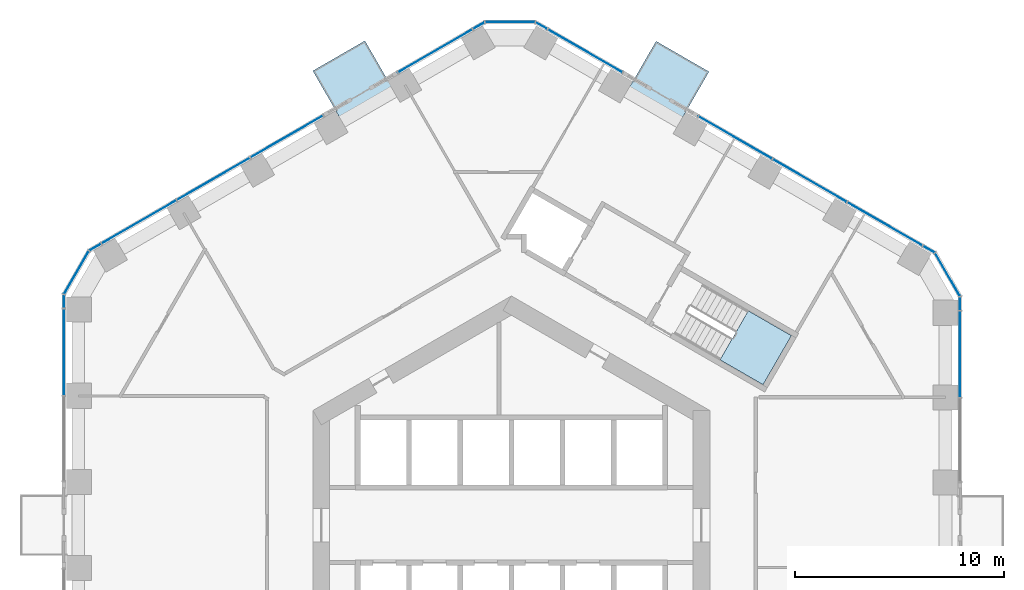
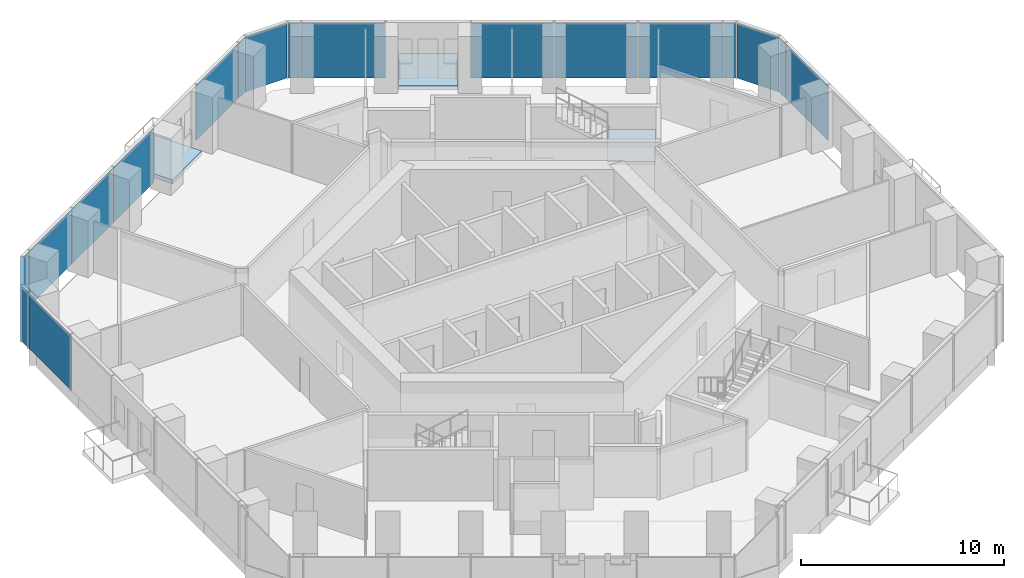
# One storey, part 12 of 20: 19 plates, 3 slabs, 10 elements without a shape of their own.
"""IFC4 building model written with IfcOpenShell, lengths in metres."""

from ifc_helpers import new_model, si_unit, direction, frame, origin, origin_2d, place, context, subcontext, project, spatial, polyline, rectangle, outline, extrude, material, layer, layer_set, type_object, element, aggregate, save


model = new_model("IFC4")

# Units and contexts
model_context = context("Model", 3, precision=1e-05, world=origin(), true_north=direction((0.0, 1.0)))
body_context = subcontext(model_context, "Body", "Model", "MODEL_VIEW")
ifc_project = project(units=[si_unit("LENGTHUNIT", "METRE"), si_unit("AREAUNIT", "SQUARE_METRE"), si_unit("VOLUMEUNIT", "CUBIC_METRE"), si_unit("PLANEANGLEUNIT", "RADIAN"), si_unit("MASSUNIT", "GRAM", prefix="KILO")], contexts=[model_context])

# Site, building, storey
site_placement = place(None, origin())
site = spatial("IfcSite", under=ifc_project, at=site_placement, CompositionType="ELEMENT")
building_placement = place(site_placement, origin())
building = spatial("IfcBuilding", under=site, at=building_placement, Name="Ayvan Gate Tower", CompositionType="ELEMENT")
storey_placement = place(building_placement, frame((0.0, 0.0, 28.89990234375)))
storey = spatial("IfcBuildingStorey", under=building, at=storey_placement, Name="L06", CompositionType="ELEMENT", Elevation=28.89990234375)

# Slabs
ifc_material_1 = material(Name="Concrete C40/50", Category="concrete")
ifc_layer_1 = layer(ifc_material_1, 0.25)
ifc_layer_set_1 = layer_set([ifc_layer_1], Name="Concrete C40/50")
slab_type_1 = type_object("IfcSlabType", Name="Balcony slab 250", PredefinedType="FLOOR", material=ifc_layer_set_1)
slab_1_placement = place(storey_placement, frame((0.0, 0.0, -0.25)))
element("IfcSlab", 1, at=slab_1_placement, inside=storey, type_object=slab_type_1, Name="Balcony slab BAL-L06-2", PredefinedType="FLOOR", context=body_context, shape_type="SweptSolid", body=[
    extrude(outline(polyline([(-5.612060546875, 20.759765625), (-8.106201171875, 19.31982421875), (-9.506103515625, 21.744873046875), (-7.01220703125, 23.184814453125), (-5.612060546875, 20.759765625)])), origin(), (0.0, 0.0, 1.0), 0.25),
])
slab_2_placement = place(storey_placement, frame((0.0, 0.0, -0.25)))
element("IfcSlab", 2, at=slab_2_placement, inside=storey, type_object=slab_type_1, Name="Balcony slab BAL-L06-1", PredefinedType="FLOOR", context=body_context, shape_type="SweptSolid", body=[
    extrude(outline(polyline([(8.05859375, 19.27880859375), (5.529052734375, 20.7392578125), (6.92919921875, 23.1640625), (9.45849609375, 21.70361328125), (8.05859375, 19.27880859375)])), origin(), (0.0, 0.0, 1.0), 0.25),
])

# Stair, slab
stair_type = type_object("IfcStairType", Name="ST-EXIT", PredefinedType="HALF_TURN_STAIR", material=ifc_material_1)
stair_placement = place(storey_placement, origin())
stair = element("IfcStair", 3, at=stair_placement, inside=storey, type_object=stair_type, Name="L06 Exit Stair S1", PredefinedType="HALF_TURN_STAIR")
ifc_layer_2 = layer(ifc_material_1, 0.199951171875)
ifc_layer_set_2 = layer_set([ifc_layer_2], Name="Concrete C40/50")
slab_type_2 = type_object("IfcSlabType", Name="SL-LANDING-200", PredefinedType="LANDING", material=ifc_layer_set_2)
slab_3_placement = place(storey_placement, frame((0.0, 0.0, 1.5)))
slab_3 = element("IfcSlab", 4, at=slab_3_placement, type_object=slab_type_2, Name="STS1 landing 1", PredefinedType="LANDING", context=body_context, shape_type="SweptSolid", body=[
    extrude(outline(polyline([(9.988525390625, 7.91064453125), (12.049560546875, 6.720458984375), (13.404541015625, 9.0673828125), (11.343505859375, 10.257568359375), (9.988525390625, 7.91064453125)])), origin(), (0.0, 0.0, 1.0), 0.2001953125),
])
aggregate(stair, [slab_3])

# Curtain wall, plate
ifc_material_2 = material(Name="Bronze anodised aluminium", Category="aluminium")
ifc_layer_3 = layer(ifc_material_2, 0.199951171875)
ifc_layer_set_3 = layer_set([ifc_layer_3], Name="Bronze anodised aluminium")
curtain_wall_type_1 = type_object("IfcCurtainWallType", Name="Stick curtain wall CW-1", PredefinedType="NOTDEFINED", material=ifc_layer_set_3)
curtain_wall_1_placement = place(storey_placement, origin())
curtain_wall_1 = element("IfcCurtainWall", 5, at=curtain_wall_1_placement, inside=storey, type_object=curtain_wall_type_1, Name="Stick curtain wall CW-1 L06", PredefinedType="NOTDEFINED")
ifc_material_3 = material(Name="Clear low-iron laminated glass", Category="glass")
ifc_layer_4 = layer(ifc_material_3, 0.028076171875)
ifc_layer_set_4 = layer_set([ifc_layer_4], Name="Clear low-iron laminated glass")
plate_type_1 = type_object("IfcPlateType", Name="Stick curtain wall CW-1 glass panel", PredefinedType="CURTAIN_PANEL", material=ifc_layer_set_4)
plate_1_placement = place(storey_placement, frame((-3.644775390625, 22.7041015625, 0.0), z_axis=(0.0, 0.0, 1.0), x_axis=(-0.866025403784, -0.5, 0.0)))
plate_1 = element("IfcPlate", 6, at=plate_1_placement, type_object=plate_type_1, Name="CW-1 glass panel 1", PredefinedType="CURTAIN_PANEL", context=body_context, shape_type="SweptSolid", body=[
    extrude(rectangle(XDim=4.132080078125, YDim=0.028076171875, at=origin_2d()), origin(), (0.0, 0.0, 1.0), 3.280029296875),
])
aggregate(curtain_wall_1, [plate_1])

# Curtain wall, plates
curtain_wall_2_placement = place(storey_placement, origin())
curtain_wall_2 = element("IfcCurtainWall", 7, at=curtain_wall_2_placement, inside=storey, type_object=curtain_wall_type_1, Name="Stick curtain wall CW-1 L06", PredefinedType="NOTDEFINED")
plate_2_placement = place(storey_placement, frame((-10.74267578125, 18.60595703125, 0.0), z_axis=(0.0, 0.0, 1.0), x_axis=(-0.866025403784, -0.5, 0.0)))
plate_2 = element("IfcPlate", 8, at=plate_2_placement, type_object=plate_type_1, Name="CW-1 glass panel 1", PredefinedType="CURTAIN_PANEL", context=body_context, shape_type="SweptSolid", body=[
    extrude(rectangle(XDim=4.006103515625, YDim=0.028076171875, at=origin_2d()), origin(), (0.0, 0.0, 1.0), 3.280029296875),
])
plate_3_placement = place(storey_placement, frame((-14.263916015625, 16.572998046875, 0.0), z_axis=(0.0, 0.0, 1.0), x_axis=(-0.866025403784, -0.5, 0.0)))
plate_3 = element("IfcPlate", 9, at=plate_3_placement, type_object=plate_type_1, Name="CW-1 glass panel 2", PredefinedType="CURTAIN_PANEL", context=body_context, shape_type="SweptSolid", body=[
    extrude(rectangle(XDim=4.006103515625, YDim=0.028076171875, at=origin_2d()), origin(), (0.0, 0.0, 1.0), 3.280029296875),
])
plate_4_placement = place(storey_placement, frame((-17.83984375, 14.508544921875, 0.0), z_axis=(0.0, 0.0, 1.0), x_axis=(-0.866025403784, -0.5, 0.0)))
plate_4 = element("IfcPlate", 10, at=plate_4_placement, type_object=plate_type_1, Name="CW-1 glass panel 3", PredefinedType="CURTAIN_PANEL", context=body_context, shape_type="SweptSolid", body=[
    extrude(rectangle(XDim=4.132080078125, YDim=0.028076171875, at=origin_2d()), origin(), (0.0, 0.0, 1.0), 3.280029296875),
])
aggregate(curtain_wall_2, [plate_2, plate_3, plate_4])

# Curtain wall, plate
curtain_wall_3_placement = place(storey_placement, origin())
curtain_wall_3 = element("IfcCurtainWall", 11, at=curtain_wall_3_placement, inside=storey, type_object=curtain_wall_type_1, Name="Stick curtain wall CW-1 L06", PredefinedType="NOTDEFINED")
plate_5_placement = place(storey_placement, frame((-21.42529296875, 8.29296875, 0.0), z_axis=(0.0, 0.0, 1.0), x_axis=(0.0, -1.0, 0.0)))
plate_5 = element("IfcPlate", 12, at=plate_5_placement, type_object=plate_type_1, Name="CW-1 glass panel 1", PredefinedType="CURTAIN_PANEL", context=body_context, shape_type="SweptSolid", body=[
    extrude(rectangle(XDim=4.14306640625, YDim=0.028076171875, at=origin_2d()), origin(), (0.0, 0.0, 1.0), 3.280029296875),
])
aggregate(curtain_wall_3, [plate_5])

curtain_wall_4_placement = place(storey_placement, origin())
curtain_wall_4 = element("IfcCurtainWall", 13, at=curtain_wall_4_placement, inside=storey, type_object=curtain_wall_type_1, Name="Stick curtain wall CW-1 L06", PredefinedType="NOTDEFINED")
plate_6_placement = place(storey_placement, frame((21.484619140625, 8.195556640625, 0.0), z_axis=(0.0, 0.0, 1.0), x_axis=(0.0, 1.0, 0.0)))
plate_6 = element("IfcPlate", 14, at=plate_6_placement, type_object=plate_type_1, Name="CW-1 glass panel 2", PredefinedType="CURTAIN_PANEL", context=body_context, shape_type="SweptSolid", body=[
    extrude(rectangle(XDim=4.132080078125, YDim=0.028076171875, at=origin_2d()), origin(), (0.0, 0.0, 1.0), 3.280029296875),
])
aggregate(curtain_wall_4, [plate_6])

# Curtain wall, plates
curtain_wall_5_placement = place(storey_placement, origin())
curtain_wall_5 = element("IfcCurtainWall", 15, at=curtain_wall_5_placement, inside=storey, type_object=curtain_wall_type_1, Name="Stick curtain wall CW-1 L06", PredefinedType="NOTDEFINED")
plate_7_placement = place(storey_placement, frame((17.89453125, 14.408447265625, 0.0), z_axis=(0.0, 0.0, 1.0), x_axis=(-0.866025403784, 0.5, 0.0)))
plate_7 = element("IfcPlate", 16, at=plate_7_placement, type_object=plate_type_1, Name="CW-1 glass panel 1", PredefinedType="CURTAIN_PANEL", context=body_context, shape_type="SweptSolid", body=[
    extrude(rectangle(XDim=4.14306640625, YDim=0.028076171875, at=origin_2d()), origin(), (0.0, 0.0, 1.0), 3.280029296875),
])
plate_8_placement = place(storey_placement, frame((14.287109375, 16.4912109375, 0.0), z_axis=(0.0, 0.0, 1.0), x_axis=(-0.866025403784, 0.5, 0.0)))
plate_8 = element("IfcPlate", 17, at=plate_8_placement, type_object=plate_type_1, Name="CW-1 glass panel 2", PredefinedType="CURTAIN_PANEL", context=body_context, shape_type="SweptSolid", body=[
    extrude(rectangle(XDim=4.068115234375, YDim=0.028076171875, at=origin_2d()), origin(), (0.0, 0.0, 1.0), 3.280029296875),
])
plate_9_placement = place(storey_placement, frame((10.71240234375, 18.554931640625, 0.0), z_axis=(0.0, 0.0, 1.0), x_axis=(-0.866025403784, 0.5, 0.0)))
plate_9 = element("IfcPlate", 18, at=plate_9_placement, type_object=plate_type_1, Name="CW-1 glass panel 3", PredefinedType="CURTAIN_PANEL", context=body_context, shape_type="SweptSolid", body=[
    extrude(rectangle(XDim=4.06689453125, YDim=0.028076171875, at=origin_2d()), origin(), (0.0, 0.0, 1.0), 3.280029296875),
])
aggregate(curtain_wall_5, [plate_7, plate_8, plate_9])

# Curtain wall, plate
curtain_wall_6_placement = place(storey_placement, origin())
curtain_wall_6 = element("IfcCurtainWall", 19, at=curtain_wall_6_placement, inside=storey, type_object=curtain_wall_type_1, Name="Stick curtain wall CW-1 L06", PredefinedType="NOTDEFINED")
plate_10_placement = place(storey_placement, frame((3.53076171875, 22.701416015625, 0.0), z_axis=(0.0, 0.0, 1.0), x_axis=(-0.866025403784, 0.5, 0.0)))
plate_10 = element("IfcPlate", 20, at=plate_10_placement, type_object=plate_type_1, Name="CW-1 glass panel 1", PredefinedType="CURTAIN_PANEL", context=body_context, shape_type="SweptSolid", body=[
    extrude(rectangle(XDim=4.142822265625, YDim=0.028076171875, at=origin_2d()), origin(), (0.0, 0.0, 1.0), 3.280029296875),
])
aggregate(curtain_wall_6, [plate_10])

# Curtain wall, plates
ifc_layer_5 = layer(ifc_material_2, 0.199951171875)
ifc_layer_set_5 = layer_set([ifc_layer_5], Name="Bronze anodised aluminium")
curtain_wall_type_2 = type_object("IfcCurtainWallType", Name="Stick curtain wall CW-6", PredefinedType="NOTDEFINED", material=ifc_layer_set_5)
curtain_wall_7_placement = place(storey_placement, origin())
curtain_wall_7 = element("IfcCurtainWall", 21, at=curtain_wall_7_placement, inside=storey, type_object=curtain_wall_type_2, Name="Stick curtain wall CW-6 L06", PredefinedType="NOTDEFINED")
ifc_layer_6 = layer(ifc_material_3, 0.028076171875)
ifc_layer_set_6 = layer_set([ifc_layer_6], Name="Clear low-iron laminated glass")
plate_type_2 = type_object("IfcPlateType", Name="Stick curtain wall CW-6 glass panel", PredefinedType="CURTAIN_PANEL", material=ifc_layer_set_6)
plate_11_placement = place(storey_placement, frame((-19.92578125, 13.30419921875, 0.0), z_axis=(0.0, 0.0, 1.0), x_axis=(-0.866025403784, -0.5, 0.0)))
plate_11 = element("IfcPlate", 22, at=plate_11_placement, type_object=plate_type_2, Name="CW-6 glass panel 1", PredefinedType="CURTAIN_PANEL", context=body_context, shape_type="SweptSolid", body=[
    extrude(rectangle(XDim=0.625, YDim=0.028076171875, at=origin_2d()), origin(), (0.0, 0.0, 1.0), 3.280029296875),
])
plate_12_placement = place(storey_placement, frame((-20.821533203125, 12.08984375, 0.0), z_axis=(0.0, 0.0, 1.0), x_axis=(-0.5, -0.866025403784, 0.0)))
plate_12 = element("IfcPlate", 23, at=plate_12_placement, type_object=plate_type_2, Name="CW-6 glass panel 2", PredefinedType="CURTAIN_PANEL", context=body_context, shape_type="SweptSolid", body=[
    extrude(rectangle(XDim=2.364501953125, YDim=0.028076171875, at=origin_2d()), origin(), (0.0, 0.0, 1.0), 3.280029296875),
])
plate_13_placement = place(storey_placement, frame((-21.42529296875, 10.706787109375, 0.0), z_axis=(0.0, 0.0, 1.0), x_axis=(0.0, -1.0, 0.0)))
plate_13 = element("IfcPlate", 24, at=plate_13_placement, type_object=plate_type_2, Name="CW-6 glass panel 3", PredefinedType="CURTAIN_PANEL", context=body_context, shape_type="SweptSolid", body=[
    extrude(rectangle(XDim=0.625, YDim=0.028076171875, at=origin_2d()), origin(), (0.0, 0.0, 1.0), 3.280029296875),
])
aggregate(curtain_wall_7, [plate_11, plate_12, plate_13])

curtain_wall_8_placement = place(storey_placement, origin())
curtain_wall_8 = element("IfcCurtainWall", 25, at=curtain_wall_8_placement, inside=storey, type_object=curtain_wall_type_2, Name="Stick curtain wall CW-6 L06", PredefinedType="NOTDEFINED")
plate_14_placement = place(storey_placement, frame((21.484619140625, 10.60400390625, 0.0), z_axis=(0.0, 0.0, 1.0), x_axis=(0.0, 1.0, 0.0)))
plate_14 = element("IfcPlate", 26, at=plate_14_placement, type_object=plate_type_2, Name="CW-6 glass panel 1", PredefinedType="CURTAIN_PANEL", context=body_context, shape_type="SweptSolid", body=[
    extrude(rectangle(XDim=0.625, YDim=0.028076171875, at=origin_2d()), origin(), (0.0, 0.0, 1.0), 3.280029296875),
])
plate_15_placement = place(storey_placement, frame((20.880859375, 11.987060546875, 0.0), z_axis=(0.0, 0.0, 1.0), x_axis=(-0.5, 0.866025403784, 0.0)))
plate_15 = element("IfcPlate", 27, at=plate_15_placement, type_object=plate_type_2, Name="CW-6 glass panel 2", PredefinedType="CURTAIN_PANEL", context=body_context, shape_type="SweptSolid", body=[
    extrude(rectangle(XDim=2.364501953125, YDim=0.028076171875, at=origin_2d()), origin(), (0.0, 0.0, 1.0), 3.280029296875),
])
plate_16_placement = place(storey_placement, frame((19.985107421875, 13.201416015625, 0.0), z_axis=(0.0, 0.0, 1.0), x_axis=(-0.866025403784, 0.5, 0.0)))
plate_16 = element("IfcPlate", 28, at=plate_16_placement, type_object=plate_type_2, Name="CW-6 glass panel 3", PredefinedType="CURTAIN_PANEL", context=body_context, shape_type="SweptSolid", body=[
    extrude(rectangle(XDim=0.625, YDim=0.028076171875, at=origin_2d()), origin(), (0.0, 0.0, 1.0), 3.280029296875),
])
aggregate(curtain_wall_8, [plate_14, plate_15, plate_16])

curtain_wall_9_placement = place(storey_placement, origin())
curtain_wall_9 = element("IfcCurtainWall", 29, at=curtain_wall_9_placement, inside=storey, type_object=curtain_wall_type_2, Name="Stick curtain wall CW-6 L06", PredefinedType="NOTDEFINED")
plate_17_placement = place(storey_placement, frame((1.440185546875, 23.908203125, 0.0), z_axis=(0.0, 0.0, 1.0), x_axis=(-0.866025403784, 0.5, 0.0)))
plate_17 = element("IfcPlate", 30, at=plate_17_placement, type_object=plate_type_2, Name="CW-6 glass panel 1", PredefinedType="CURTAIN_PANEL", context=body_context, shape_type="SweptSolid", body=[
    extrude(rectangle(XDim=0.625, YDim=0.028076171875, at=origin_2d()), origin(), (0.0, 0.0, 1.0), 3.280029296875),
])
plate_18_placement = place(storey_placement, frame((-0.059326171875, 24.076904296875, 0.0), z_axis=(0.0, 0.0, 1.0), x_axis=(-1.0, 0.0, 0.0)))
plate_18 = element("IfcPlate", 31, at=plate_18_placement, type_object=plate_type_2, Name="CW-6 glass panel 2", PredefinedType="CURTAIN_PANEL", context=body_context, shape_type="SweptSolid", body=[
    extrude(rectangle(XDim=2.364501953125, YDim=0.028076171875, at=origin_2d()), origin(), (0.0, 0.0, 1.0), 3.280029296875),
])
plate_19_placement = place(storey_placement, frame((-1.558837890625, 23.908203125, 0.0), z_axis=(0.0, 0.0, 1.0), x_axis=(-0.866025403784, -0.5, 0.0)))
plate_19 = element("IfcPlate", 32, at=plate_19_placement, type_object=plate_type_2, Name="CW-6 glass panel 3", PredefinedType="CURTAIN_PANEL", context=body_context, shape_type="SweptSolid", body=[
    extrude(rectangle(XDim=0.625, YDim=0.028076171875, at=origin_2d()), origin(), (0.0, 0.0, 1.0), 3.280029296875),
])
aggregate(curtain_wall_9, [plate_17, plate_18, plate_19])

save(model, "model.ifc")
